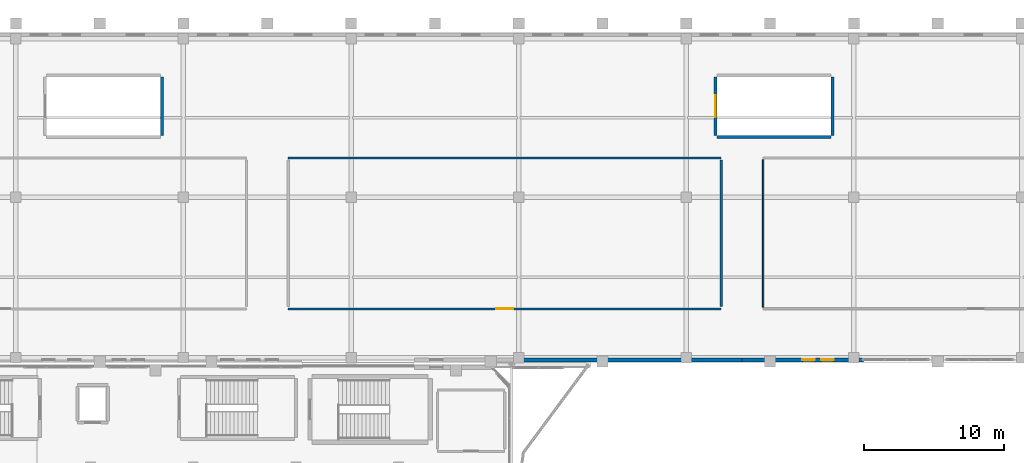
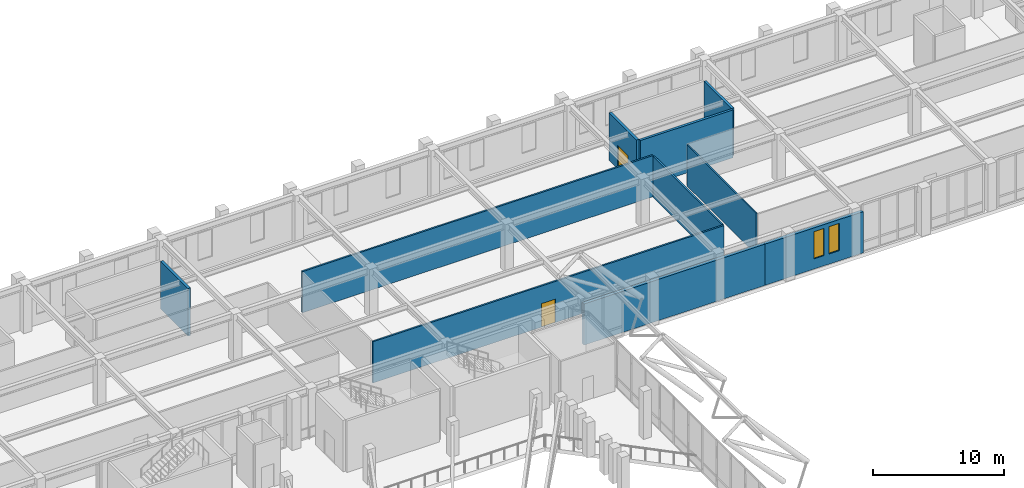
# One storey, part 62 of 79: 10 walls, 2 doors, 2 windows, 4 openings.
"""IFC4 building model written with IfcOpenShell, lengths in metres."""

from ifc_helpers import new_model, si_unit, derived_unit, direction, frame, frame_2d, origin, place, context, subcontext, project, spatial, rectangle, extrude, material, layer, layer_set, type_object, element, fill, save


model = new_model("IFC4")

# Units and contexts
model_context = context("Model", 3, precision=1e-05, world=origin(), true_north=direction((0.0, 1.0)))
body_context = subcontext(model_context, "Body", "Model", "MODEL_VIEW")
ifc_project = project(units=[si_unit("LENGTHUNIT", "METRE"), si_unit("AREAUNIT", "SQUARE_METRE"), si_unit("VOLUMEUNIT", "CUBIC_METRE"), si_unit("PLANEANGLEUNIT", "RADIAN"), si_unit("MASSUNIT", "GRAM", prefix="KILO"), derived_unit("THERMALTRANSMITTANCEUNIT", [(si_unit("MASSUNIT", "GRAM", prefix="KILO"), 1), (si_unit("TIMEUNIT", "SECOND"), -3), (si_unit("THERMODYNAMICTEMPERATUREUNIT", "KELVIN"), -1)])], contexts=[model_context])

# Site, building, storey
site_placement = place(None, origin())
site = spatial("IfcSite", under=ifc_project, at=site_placement, CompositionType="ELEMENT")
building_placement = place(site_placement, origin())
building = spatial("IfcBuilding", under=site, at=building_placement, Name="Valcora Ridge Arena", CompositionType="ELEMENT")
storey_placement = place(building_placement, frame((0.0, 0.0, 16.199951171875)))
storey = spatial("IfcBuildingStorey", under=building, at=storey_placement, Name="L03", CompositionType="ELEMENT", Elevation=16.199951171875)

# Wall
ifc_material_1 = material(Name="Bush-hammered Andean travertine on concrete backup C40/50", Category="masonry")
ifc_layer_1 = layer(ifc_material_1, 0.280029296875, Name="Bush-hammered Andean travertine on concrete backup C40/50")
ifc_layer_set_1 = layer_set([ifc_layer_1], Name="Bush-hammered Andean travertine on concrete backup C40/50")
wall_type_1 = type_object("IfcWallType", Name="TY-WALL-EW-TRV-28-38", PredefinedType="STANDARD", material=ifc_layer_set_1)
wall_1_placement = place(storey_placement, frame((96.0, 108.550048828125, 0.0), z_axis=(0.0, 0.0, 1.0), x_axis=(1.0, 0.0, 0.0)))
element("IfcWall", 1, at=wall_1_placement, inside=storey, type_object=wall_type_1, Name="EW-TRV-28-38 WAL-EW-0219", PredefinedType="STANDARD", context=body_context, shape_type="SweptSolid", body=[
    extrude(rectangle(XDim=16.0, YDim=0.280029296875, at=frame_2d((8.0, 0.0))), origin(), (0.0, 0.0, 1.0), 3.84814453125),
])

# Wall, openings, windows
wall_2_placement = place(storey_placement, frame((112.0, 108.550048828125, 0.0), z_axis=(0.0, 0.0, 1.0), x_axis=(1.0, 0.0, 0.0)))
wall_2 = element("IfcWall", 2, at=wall_2_placement, inside=storey, type_object=wall_type_1, Name="EW-TRV-28-38 WAL-EW-0220", PredefinedType="STANDARD", context=body_context, shape_type="SweptSolid", body=[
    extrude(rectangle(XDim=8.679931640625, YDim=0.280029296875, at=frame_2d((4.33984375, 0.0))), origin(), (0.0, 0.0, 1.0), 3.84814453125),
])
opening_1_placement = place(wall_2_placement, frame((4.300048828125, 0.0, 0.949951171875)))
opening_1 = element("IfcOpeningElement", 3, at=opening_1_placement, cuts=wall_2, Name="Opening W-GLAN-90X255", PredefinedType="OPENING", context=body_context, shape_type="SweptSolid", body=[
    extrude(rectangle(XDim=0.89990234375, YDim=2.550048828125, at=frame_2d((0.449951171875, 1.27490234375))), frame((0.0, 0.14990234375, 0.0), z_axis=(0.0, -1.0, 0.0), x_axis=(1.0, 0.0, 0.0)), (0.0, 0.0, 1.0), 0.300048828125),
])
opening_2_placement = place(wall_2_placement, frame((5.64990234375, 0.0, 0.949951171875)))
opening_2 = element("IfcOpeningElement", 4, at=opening_2_placement, cuts=wall_2, Name="Opening W-GLAN-90X255", PredefinedType="OPENING", context=body_context, shape_type="SweptSolid", body=[
    extrude(rectangle(XDim=0.89990234375, YDim=2.550048828125, at=frame_2d((0.449951171875, 1.27490234375))), frame((0.0, 0.14990234375, 0.0), z_axis=(0.0, -1.0, 0.0), x_axis=(1.0, 0.0, 0.0)), (0.0, 0.0, 1.0), 0.300048828125),
])
ifc_material_2 = material(Name="Low-iron solar-control double glazing SHGC 0.28", Category="glass")
window_type = type_object("IfcWindowType", Name="TY-WINDOW-W-GLAN-90X255", PartitioningType="DOUBLE_PANEL_VERTICAL", PredefinedType="WINDOW", material=ifc_material_2)
window_1_placement = place(opening_1_placement, origin())
window_1 = element("IfcWindow", 5, at=window_1_placement, inside=storey, type_object=window_type, Name="W-GLAN-90X255 WIN-EX-0663", OverallHeight=2.550048828125, OverallWidth=0.89990234375, PartitioningType="DOUBLE_PANEL_VERTICAL", PredefinedType="WINDOW", context=body_context, shape_type="SweptSolid", body=[
    extrude(rectangle(XDim=0.89990234375, YDim=2.550048828125, at=frame_2d((0.449951171875, 1.27490234375))), frame((0.0, 0.030029296875, 0.0), z_axis=(0.0, -1.0, 0.0), x_axis=(1.0, 0.0, 0.0)), (0.0, 0.0, 1.0), 0.06005859375),
])
fill(opening_1, window_1)
window_2_placement = place(opening_2_placement, origin())
window_2 = element("IfcWindow", 6, at=window_2_placement, inside=storey, type_object=window_type, Name="W-GLAN-90X255 WIN-EX-0664", OverallHeight=2.550048828125, OverallWidth=0.89990234375, PartitioningType="DOUBLE_PANEL_VERTICAL", PredefinedType="WINDOW", context=body_context, shape_type="SweptSolid", body=[
    extrude(rectangle(XDim=0.89990234375, YDim=2.550048828125, at=frame_2d((0.449951171875, 1.27490234375))), frame((0.0, 0.030029296875, 0.0), z_axis=(0.0, -1.0, 0.0), x_axis=(1.0, 0.0, 0.0)), (0.0, 0.0, 1.0), 0.06005859375),
])
fill(opening_2, window_2)

# Wall, opening, door
ifc_material_3 = material(Name="Fire-rated masonry-core compartment wall C35/45 150 mm", Category="masonry")
ifc_layer_2 = layer(ifc_material_3, 0.14990234375, Name="Fire-rated masonry-core compartment wall C35/45 150 mm")
ifc_layer_set_2 = layer_set([ifc_layer_2], Name="Fire-rated masonry-core compartment wall C35/45 150 mm")
wall_type_2 = type_object("IfcWallType", Name="TY-WALL-IW-COMP-150", PredefinedType="STANDARD", material=ifc_layer_set_2)
wall_3_placement = place(storey_placement, frame((79.5, 112.199951171875, 0.0), z_axis=(0.0, 0.0, 1.0), x_axis=(1.0, 0.0, 0.0)))
wall_3 = element("IfcWall", 7, at=wall_3_placement, inside=storey, type_object=wall_type_2, Name="IW-COMP-150 WAL-IN-0443", PredefinedType="STANDARD", context=body_context, shape_type="SweptSolid", body=[
    extrude(rectangle(XDim=31.0, YDim=0.14990234375, at=frame_2d((15.5, 0.0))), origin(), (0.0, 0.0, 1.0), 3.84814453125),
])
opening_3_placement = place(wall_3_placement, frame((14.89990234375, 0.0, 0.0)))
opening_3 = element("IfcOpeningElement", 8, at=opening_3_placement, cuts=wall_3, Name="Opening FD-BRD-1200", PredefinedType="OPENING", context=body_context, shape_type="SweptSolid", body=[
    extrude(rectangle(XDim=1.199951171875, YDim=2.199951171875, at=frame_2d((0.60009765625, 1.10009765625))), frame((0.0, 0.0849609375, 0.0), z_axis=(0.0, -1.0, 0.0), x_axis=(1.0, 0.0, 0.0)), (0.0, 0.0, 1.0), 0.169921875),
])
ifc_material_4 = material(Name="Insulated fire-rated steel door leaf", Category="steel")
door_type_1 = type_object("IfcDoorType", Name="TY-DOOR-FD-BRD-1200", OperationType="NOTDEFINED", PredefinedType="DOOR", material=ifc_material_4)
door_1_placement = place(opening_3_placement, origin())
door_1 = element("IfcDoor", 9, at=door_1_placement, inside=storey, type_object=door_type_1, Name="FD-BRD-1200 DOR-IN-0116", OperationType="SINGLE_SWING_RIGHT", OverallHeight=2.199951171875, OverallWidth=1.199951171875, PredefinedType="DOOR", context=body_context, shape_type="SweptSolid", body=[
    extrude(rectangle(XDim=1.199951171875, YDim=2.199951171875, at=frame_2d((0.60009765625, 1.10009765625))), frame((0.0, 0.02490234375, 0.0), z_axis=(0.0, -1.0, 0.0), x_axis=(1.0, 0.0, 0.0)), (0.0, 0.0, 1.0), 0.050048828125),
])
fill(opening_3, door_1)

# Walls
wall_4_placement = place(storey_placement, frame((79.5, 123.0, 0.0), z_axis=(0.0, 0.0, 1.0), x_axis=(1.0, 0.0, 0.0)))
element("IfcWall", 10, at=wall_4_placement, inside=storey, type_object=wall_type_2, Name="IW-COMP-150 WAL-IN-0444", PredefinedType="STANDARD", context=body_context, shape_type="SweptSolid", body=[
    extrude(rectangle(XDim=31.0, YDim=0.14990234375, at=frame_2d((15.5, 0.0))), origin(), (0.0, 0.0, 1.0), 3.84814453125),
])
wall_5_placement = place(storey_placement, frame((110.5, 112.35009765625, 0.0), z_axis=(0.0, 0.0, 1.0), x_axis=(0.0, 1.0, 0.0)))
element("IfcWall", 11, at=wall_5_placement, inside=storey, type_object=wall_type_2, Name="IW-COMP-150 WAL-IN-0446", PredefinedType="STANDARD", context=body_context, shape_type="SweptSolid", body=[
    extrude(rectangle(XDim=10.5, YDim=0.14990234375, at=frame_2d((5.25, 0.0))), origin(), (0.0, 0.0, 1.0), 3.84814453125),
])
ifc_material_5 = material(Name="Acoustic metal-stud gypsum partition 120 mm")
ifc_layer_3 = layer(ifc_material_5, 0.1201171875, Name="Acoustic metal-stud gypsum partition 120 mm")
ifc_layer_set_3 = layer_set([ifc_layer_3], Name="Acoustic metal-stud gypsum partition 120 mm")
wall_type_3 = type_object("IfcWallType", Name="TY-WALL-IW-PART-120", PredefinedType="PARTITIONING", material=ifc_layer_set_3)
wall_6_placement = place(storey_placement, frame((113.5, 112.320068359375, 0.0), z_axis=(0.0, 0.0, 1.0), x_axis=(0.0, 1.0, 0.0)))
element("IfcWall", 12, at=wall_6_placement, inside=storey, type_object=wall_type_3, Name="IW-PART-120 WAL-IN-0449", PredefinedType="PARTITIONING", context=body_context, shape_type="SweptSolid", body=[
    extrude(rectangle(XDim=10.559814453125, YDim=0.1201171875, at=frame_2d((5.27978515625, 0.0))), origin(), (0.0, 0.0, 1.0), 3.84814453125),
])
ifc_material_6 = material(Name="Fire-resisting reinforced concrete enclosure C40/50 200 mm", Category="concrete")
ifc_layer_4 = layer(ifc_material_6, 0.219970703125, Name="Fire-resisting reinforced concrete enclosure C40/50 200 mm")
ifc_layer_set_4 = layer_set([ifc_layer_4], Name="Fire-resisting reinforced concrete enclosure C40/50 200 mm")
wall_type_4 = type_object("IfcWallType", Name="TY-WALL-SW-ES-220", PredefinedType="SHEAR", material=ifc_layer_set_4)
wall_7_placement = place(storey_placement, frame((70.469970703125, 124.60009765625, 0.0), z_axis=(0.0, 0.0, 1.0), x_axis=(0.0, 1.0, 0.0)))
element("IfcWall", 13, at=wall_7_placement, inside=storey, type_object=wall_type_4, Name="SW-ES-220 WAL-ES-0184", PredefinedType="SHEAR", context=body_context, shape_type="SweptSolid", body=[
    extrude(rectangle(XDim=4.199951171875, YDim=0.219970703125, at=frame_2d((2.10009765625, 0.0))), origin(), (0.0, 0.0, 1.0), 4.4599609375),
])
wall_8_placement = place(storey_placement, frame((110.199951171875, 124.489990234375, 0.0), z_axis=(0.0, 0.0, 1.0), x_axis=(1.0, 0.0, 0.0)))
element("IfcWall", 14, at=wall_8_placement, inside=storey, type_object=wall_type_4, Name="SW-ES-220 WAL-ES-0201", PredefinedType="SHEAR", context=body_context, shape_type="SweptSolid", body=[
    extrude(rectangle(XDim=8.16015625, YDim=0.219970703125, at=frame_2d((4.080078125, 0.0))), origin(), (0.0, 0.0, 1.0), 4.4599609375),
])

# Wall, opening, door
wall_9_placement = place(storey_placement, frame((110.090087890625, 124.60009765625, 0.0), z_axis=(0.0, 0.0, 1.0), x_axis=(0.0, 1.0, 0.0)))
wall_9 = element("IfcWall", 15, at=wall_9_placement, inside=storey, type_object=wall_type_4, Name="SW-ES-220 WAL-ES-0203", PredefinedType="SHEAR", context=body_context, shape_type="SweptSolid", body=[
    extrude(rectangle(XDim=4.199951171875, YDim=0.219970703125, at=frame_2d((2.10009765625, 0.0))), origin(), (0.0, 0.0, 1.0), 4.4599609375),
])
opening_4_placement = place(wall_9_placement, frame((1.300048828125, 0.0, 0.0)))
opening_4 = element("IfcOpeningElement", 16, at=opening_4_placement, cuts=wall_9, Name="Opening FD-02", PredefinedType="OPENING", context=body_context, shape_type="SweptSolid", body=[
    extrude(rectangle(XDim=1.60009765625, YDim=2.199951171875, at=frame_2d((0.800048828125, 1.10009765625))), frame((0.0, 0.119873046875, 0.0), z_axis=(0.0, -1.0, 0.0), x_axis=(1.0, 0.0, 0.0)), (0.0, 0.0, 1.0), 0.239990234375),
])
door_type_2 = type_object("IfcDoorType", Name="TY-DOOR-FD-02", OperationType="NOTDEFINED", PredefinedType="DOOR", material=ifc_material_4)
door_2_placement = place(opening_4_placement, origin())
door_2 = element("IfcDoor", 17, at=door_2_placement, inside=storey, type_object=door_type_2, Name="FD-02 DOR-ES-0045", OperationType="DOUBLE_DOOR_SINGLE_SWING", OverallHeight=2.199951171875, OverallWidth=1.60009765625, PredefinedType="DOOR", context=body_context, shape_type="SweptSolid", body=[
    extrude(rectangle(XDim=1.60009765625, YDim=2.199951171875, at=frame_2d((0.800048828125, 1.10009765625))), frame((0.0, 0.02490234375, 0.0), z_axis=(0.0, -1.0, 0.0), x_axis=(1.0, 0.0, 0.0)), (0.0, 0.0, 1.0), 0.050048828125),
])
fill(opening_4, door_2)

# Wall
wall_10_placement = place(storey_placement, frame((118.469970703125, 124.60009765625, 0.0), z_axis=(0.0, 0.0, 1.0), x_axis=(0.0, 1.0, 0.0)))
element("IfcWall", 18, at=wall_10_placement, inside=storey, type_object=wall_type_4, Name="SW-ES-220 WAL-ES-0204", PredefinedType="SHEAR", context=body_context, shape_type="SweptSolid", body=[
    extrude(rectangle(XDim=4.199951171875, YDim=0.219970703125, at=frame_2d((2.10009765625, 0.0))), origin(), (0.0, 0.0, 1.0), 4.4599609375),
])

save(model, "model.ifc")
